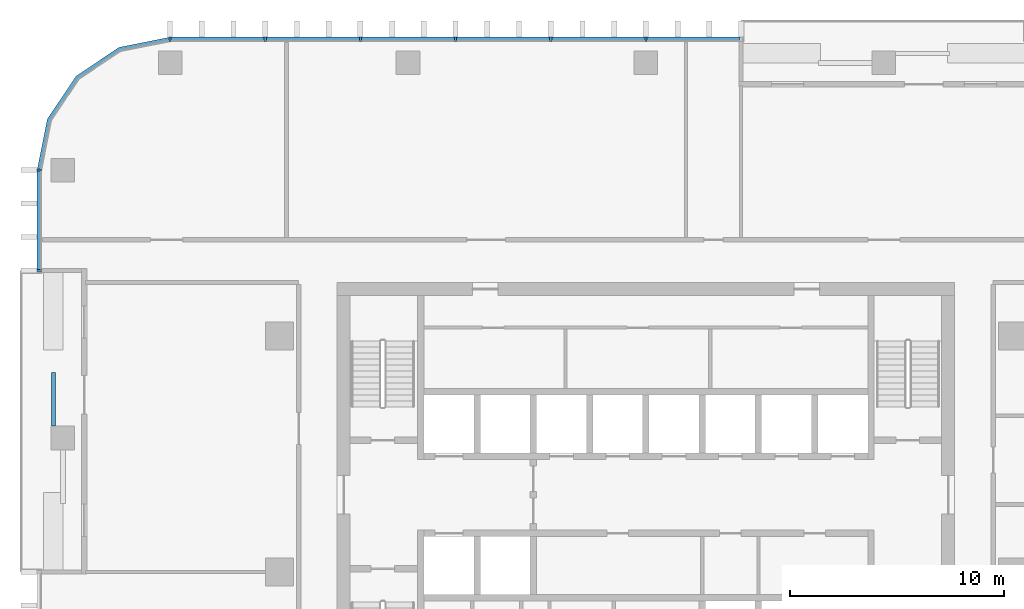
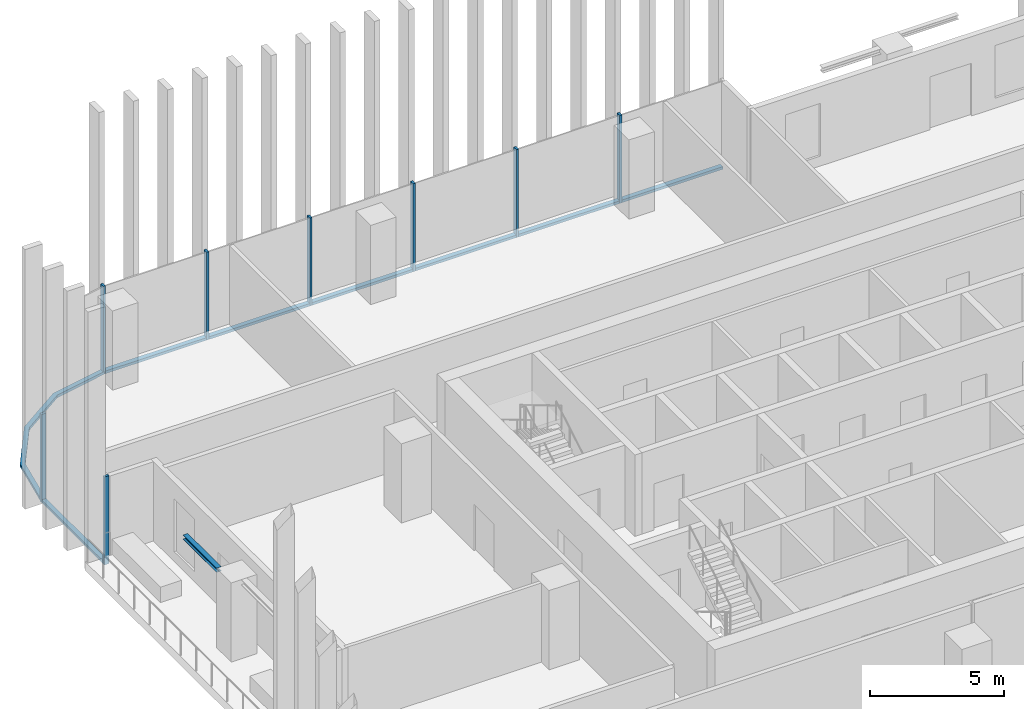
# One storey, part 4 of 16: 16 members, 1 beam, 3 elements without a shape of their own.
"""IFC4 building model written with IfcOpenShell, lengths in metres."""

from ifc_helpers import new_model, si_unit, direction, frame, origin, origin_2d, place, context, subcontext, project, spatial, polyline, rectangle, i_section, outline, extrude, material, material_profile, profile_set, type_object, element, aggregate, save


model = new_model("IFC4")

# Units and contexts
model_context = context("Model", 3, precision=1e-05, world=origin(), true_north=direction((0.0, 1.0)))
body_context = subcontext(model_context, "Body", "Model", "MODEL_VIEW")
ifc_project = project(units=[si_unit("LENGTHUNIT", "METRE"), si_unit("AREAUNIT", "SQUARE_METRE"), si_unit("VOLUMEUNIT", "CUBIC_METRE"), si_unit("PLANEANGLEUNIT", "RADIAN"), si_unit("MASSUNIT", "GRAM", prefix="KILO")], contexts=[model_context])

# Site, building, storey
site_placement = place(None, origin())
site = spatial("IfcSite", under=ifc_project, at=site_placement, CompositionType="ELEMENT")
building_placement = place(site_placement, origin())
building = spatial("IfcBuilding", under=site, at=building_placement, Name="Mopane Tessera Tower", CompositionType="ELEMENT")
storey_placement = place(building_placement, frame((0.0, 0.0, 247.0)))
storey = spatial("IfcBuildingStorey", under=building, at=storey_placement, Name="L53", CompositionType="ELEMENT", Elevation=247.0)

# Curtain wall, members
ifc_material_1 = material(Name="Aluminium frame", Category="aluminium")
curtain_wall_type = type_object("IfcCurtainWallType", Name="Unitised curtain wall", PredefinedType="NOTDEFINED", material=ifc_material_1)
curtain_wall_1_placement = place(storey_placement, origin())
curtain_wall_1 = element("IfcCurtainWall", 1, at=curtain_wall_1_placement, inside=storey, type_object=curtain_wall_type, Name="e:cw:L53:N:4", PredefinedType="NOTDEFINED")
ifc_material_2 = material(Name="Aluminium frame", Category="aluminium")
ifc_material_profile_1 = material_profile(ifc_material_2, rectangle(XDim=0.10009765625, YDim=0.199951171875, at=origin_2d()))
ifc_profile_set_1 = profile_set([ifc_material_profile_1], Name="Aluminium frame")
member_type_1 = type_object("IfcMemberType", Name="Aluminium mullion 100 x 200", PredefinedType="MULLION", material=ifc_profile_set_1)
member_1_placement = place(storey_placement, frame((0.0, 24.85009765625, -0.39990234375), z_axis=(0.0, 0.0, 1.0), x_axis=(-1.0, 0.0, 0.0)))
member_1 = element("IfcMember", 2, at=member_1_placement, type_object=member_type_1, Name="e:cw:L53:N:4:mu5", PredefinedType="MULLION", context=body_context, shape_type="SweptSolid", body=[
    extrude(rectangle(XDim=0.10009765625, YDim=0.199951171875, at=origin_2d()), origin(), (0.0, 0.0, 1.0), 4.0),
])
member_2_placement = place(storey_placement, frame((-4.43994140625, 24.85009765625, -0.39990234375), z_axis=(0.0, 0.0, 1.0), x_axis=(-1.0, 0.0, 0.0)))
member_2 = element("IfcMember", 3, at=member_2_placement, type_object=member_type_1, Name="e:cw:L53:N:4:mu6", PredefinedType="MULLION", context=body_context, shape_type="SweptSolid", body=[
    extrude(rectangle(XDim=0.10009765625, YDim=0.199951171875, at=origin_2d()), origin(), (0.0, 0.0, 1.0), 4.0),
])
member_3_placement = place(storey_placement, frame((-8.8798828125, 24.85009765625, -0.39990234375), z_axis=(0.0, 0.0, 1.0), x_axis=(-1.0, 0.0, 0.0)))
member_3 = element("IfcMember", 4, at=member_3_placement, type_object=member_type_1, Name="e:cw:L53:N:4:mu7", PredefinedType="MULLION", context=body_context, shape_type="SweptSolid", body=[
    extrude(rectangle(XDim=0.10009765625, YDim=0.199951171875, at=origin_2d()), origin(), (0.0, 0.0, 1.0), 4.0),
])
member_4_placement = place(storey_placement, frame((-13.320068359375, 24.85009765625, -0.39990234375), z_axis=(0.0, 0.0, 1.0), x_axis=(-1.0, 0.0, 0.0)))
member_4 = element("IfcMember", 5, at=member_4_placement, type_object=member_type_1, Name="e:cw:L53:N:4:mu8", PredefinedType="MULLION", context=body_context, shape_type="SweptSolid", body=[
    extrude(rectangle(XDim=0.10009765625, YDim=0.199951171875, at=origin_2d()), origin(), (0.0, 0.0, 1.0), 4.0),
])
member_5_placement = place(storey_placement, frame((-17.760009765625, 24.85009765625, -0.39990234375), z_axis=(0.0, 0.0, 1.0), x_axis=(-1.0, 0.0, 0.0)))
member_5 = element("IfcMember", 6, at=member_5_placement, type_object=member_type_1, Name="e:cw:L53:N:4:mu9", PredefinedType="MULLION", context=body_context, shape_type="SweptSolid", body=[
    extrude(rectangle(XDim=0.10009765625, YDim=0.199951171875, at=origin_2d()), origin(), (0.0, 0.0, 1.0), 4.0),
])
member_6_placement = place(storey_placement, frame((-22.199951171875, 24.85009765625, -0.39990234375), z_axis=(0.0, 0.0, 1.0), x_axis=(-1.0, 0.0, 0.0)))
member_6 = element("IfcMember", 7, at=member_6_placement, type_object=member_type_1, Name="e:cw:L53:N:4:mu10", PredefinedType="MULLION", context=body_context, shape_type="SweptSolid", body=[
    extrude(rectangle(XDim=0.10009765625, YDim=0.199951171875, at=origin_2d()), origin(), (0.0, 0.0, 1.0), 4.0),
])

curtain_wall_2_placement = place(storey_placement, origin())
curtain_wall_2 = element("IfcCurtainWall", 8, at=curtain_wall_2_placement, inside=storey, type_object=curtain_wall_type, Name="e:cw:L53:W:0", PredefinedType="NOTDEFINED")
member_7_placement = place(storey_placement, frame((-28.300048828125, 18.75, -0.39990234375), z_axis=(0.0, 0.0, 1.0), x_axis=(0.0, -1.0, 0.0)))
member_7 = element("IfcMember", 9, at=member_7_placement, type_object=member_type_1, Name="e:cw:L53:W:0:mu0", PredefinedType="MULLION", context=body_context, shape_type="SweptSolid", body=[
    extrude(rectangle(XDim=0.10009765625, YDim=0.199951171875, at=origin_2d()), origin(), (0.0, 0.0, 1.0), 4.0),
])
member_8_placement = place(storey_placement, frame((-28.300048828125, 14.0625, -0.39990234375), z_axis=(0.0, 0.0, 1.0), x_axis=(0.0, -1.0, 0.0)))
member_8 = element("IfcMember", 10, at=member_8_placement, type_object=member_type_1, Name="e:cw:L53:W:0:mu1", PredefinedType="MULLION", context=body_context, shape_type="SweptSolid", body=[
    extrude(rectangle(XDim=0.10009765625, YDim=0.199951171875, at=origin_2d()), origin(), (0.0, 0.0, 1.0), 4.0),
])

# Member
ifc_material_3 = material(Name="Aluminium frame", Category="aluminium")
ifc_material_profile_2 = material_profile(ifc_material_3, rectangle(XDim=0.199951171875, YDim=0.1201171875, at=origin_2d()))
ifc_profile_set_2 = profile_set([ifc_material_profile_2], Name="Aluminium frame")
member_type_2 = type_object("IfcMemberType", Name="Aluminium transom 200 x 120", PredefinedType="USERDEFINED", material=ifc_profile_set_2)
member_9_placement = place(storey_placement, frame((4.389892578125, 24.85009765625, -0.340087890625), z_axis=(-1.0, 0.0, 0.0), x_axis=(0.0, -1.0, 0.0)))
member_9 = element("IfcMember", 11, at=member_9_placement, type_object=member_type_2, Name="e:cw:L53:N:4:tr4", ObjectType="TRANSOM", PredefinedType="USERDEFINED", context=body_context, shape_type="SweptSolid", body=[
    extrude(rectangle(XDim=0.199951171875, YDim=0.1201171875, at=origin_2d()), origin(), (0.0, 0.0, 1.0), 4.33984375),
])

member_10_placement = place(storey_placement, frame((-0.050048828125, 24.85009765625, -0.340087890625), z_axis=(-1.0, 0.0, 0.0), x_axis=(0.0, -1.0, 0.0)))
member_10 = element("IfcMember", 12, at=member_10_placement, type_object=member_type_2, Name="e:cw:L53:N:4:tr5", ObjectType="TRANSOM", PredefinedType="USERDEFINED", context=body_context, shape_type="SweptSolid", body=[
    extrude(rectangle(XDim=0.199951171875, YDim=0.1201171875, at=origin_2d()), origin(), (0.0, 0.0, 1.0), 4.33984375),
])

member_11_placement = place(storey_placement, frame((-4.489990234375, 24.85009765625, -0.340087890625), z_axis=(-1.0, 0.0, 0.0), x_axis=(0.0, -1.0, 0.0)))
member_11 = element("IfcMember", 13, at=member_11_placement, type_object=member_type_2, Name="e:cw:L53:N:4:tr6", ObjectType="TRANSOM", PredefinedType="USERDEFINED", context=body_context, shape_type="SweptSolid", body=[
    extrude(rectangle(XDim=0.199951171875, YDim=0.1201171875, at=origin_2d()), origin(), (0.0, 0.0, 1.0), 4.340087890625),
])

member_12_placement = place(storey_placement, frame((-8.929931640625, 24.85009765625, -0.340087890625), z_axis=(-1.0, 0.0, 0.0), x_axis=(0.0, -1.0, 0.0)))
member_12 = element("IfcMember", 14, at=member_12_placement, type_object=member_type_2, Name="e:cw:L53:N:4:tr7", ObjectType="TRANSOM", PredefinedType="USERDEFINED", context=body_context, shape_type="SweptSolid", body=[
    extrude(rectangle(XDim=0.199951171875, YDim=0.1201171875, at=origin_2d()), origin(), (0.0, 0.0, 1.0), 4.340087890625),
])

member_13_placement = place(storey_placement, frame((-13.3701171875, 24.85009765625, -0.340087890625), z_axis=(-1.0, 0.0, 0.0), x_axis=(0.0, -1.0, 0.0)))
member_13 = element("IfcMember", 15, at=member_13_placement, type_object=member_type_2, Name="e:cw:L53:N:4:tr8", ObjectType="TRANSOM", PredefinedType="USERDEFINED", context=body_context, shape_type="SweptSolid", body=[
    extrude(rectangle(XDim=0.199951171875, YDim=0.1201171875, at=origin_2d()), origin(), (0.0, 0.0, 1.0), 4.33984375),
])

member_14_placement = place(storey_placement, frame((-17.81005859375, 24.85009765625, -0.340087890625), z_axis=(-1.0, 0.0, 0.0), x_axis=(0.0, -1.0, 0.0)))
member_14 = element("IfcMember", 16, at=member_14_placement, type_object=member_type_2, Name="e:cw:L53:N:4:tr9", ObjectType="TRANSOM", PredefinedType="USERDEFINED", context=body_context, shape_type="SweptSolid", body=[
    extrude(rectangle(XDim=0.199951171875, YDim=0.1201171875, at=origin_2d()), origin(), (0.0, 0.0, 1.0), 4.33984375),
])

aggregate(curtain_wall_1, [member_1, member_2, member_3, member_4, member_5, member_6, member_9, member_10, member_11, member_12, member_13, member_14])

# Curtain wall, member
curtain_wall_3_placement = place(storey_placement, origin())
curtain_wall_3 = element("IfcCurtainWall", 17, at=curtain_wall_3_placement, inside=storey, type_object=curtain_wall_type, Name="e:cw:L53:CN", PredefinedType="NOTDEFINED")
member_15_placement = place(storey_placement, frame((0.0, 0.0, -0.39990234375)))
member_15 = element("IfcMember", 18, at=member_15_placement, type_object=member_type_2, Name="e:cw:L53:CN:tr", ObjectType="TRANSOM", PredefinedType="USERDEFINED", context=body_context, shape_type="SweptSolid", body=[
    extrude(outline(polyline([(-22.199951171875, 24.75), (-24.49609375, 24.293212890625), (-26.442626953125, 22.99267578125), (-27.7431640625, 21.046142578125), (-28.199951171875, 18.75), (-28.39990234375, 18.75), (-27.927978515625, 21.12255859375), (-26.583984375, 23.134033203125), (-24.57275390625, 24.47802734375), (-22.199951171875, 24.949951171875), (-22.199951171875, 24.75)])), origin(), (0.0, 0.0, 1.0), 0.119873046875),
])
aggregate(curtain_wall_3, [member_15])

# Member
member_16_placement = place(storey_placement, frame((-28.300048828125, 18.699951171875, -0.340087890625), z_axis=(0.0, -1.0, 0.0), x_axis=(1.0, 0.0, 0.0)))
member_16 = element("IfcMember", 19, at=member_16_placement, type_object=member_type_2, Name="e:cw:L53:W:0:tr0", ObjectType="TRANSOM", PredefinedType="USERDEFINED", context=body_context, shape_type="SweptSolid", body=[
    extrude(rectangle(XDim=0.199951171875, YDim=0.1201171875, at=origin_2d()), origin(), (0.0, 0.0, 1.0), 4.58740234375),
])

aggregate(curtain_wall_2, [member_7, member_8, member_16])

# Beam
ifc_material_4 = material(Name="Structural steel S460", Category="steel")
ifc_material_profile_3 = material_profile(ifc_material_4, i_section(OverallWidth=0.199951171875, OverallDepth=0.199951171875, WebThickness=0.009033203125, FlangeThickness=0.014892578125, FilletRadius=0.01806640625, at=origin_2d()))
ifc_profile_set_3 = profile_set([ifc_material_profile_3], Name="Structural steel S460")
beam_type = type_object("IfcBeamType", Name="Terrace trimmer beam HE 200 B", PredefinedType="BEAM", material=ifc_profile_set_3)
beam_placement = place(storey_placement, frame((-27.639892578125, 6.802978515625, 3.5), z_axis=(0.0, 1.0, 0.0), x_axis=(-1.0, 0.0, 0.0)))
element("IfcBeam", 20, at=beam_placement, inside=storey, type_object=beam_type, Name="Terrace trimmer beam N3 L54", PredefinedType="BEAM", context=body_context, shape_type="SweptSolid", body=[
    extrude(i_section(OverallWidth=0.199951171875, OverallDepth=0.199951171875, WebThickness=0.009033203125, FlangeThickness=0.014892578125, FilletRadius=0.01806640625, at=origin_2d()), origin(), (0.0, 0.0, 1.0), 2.5),
])

save(model, "model.ifc")
